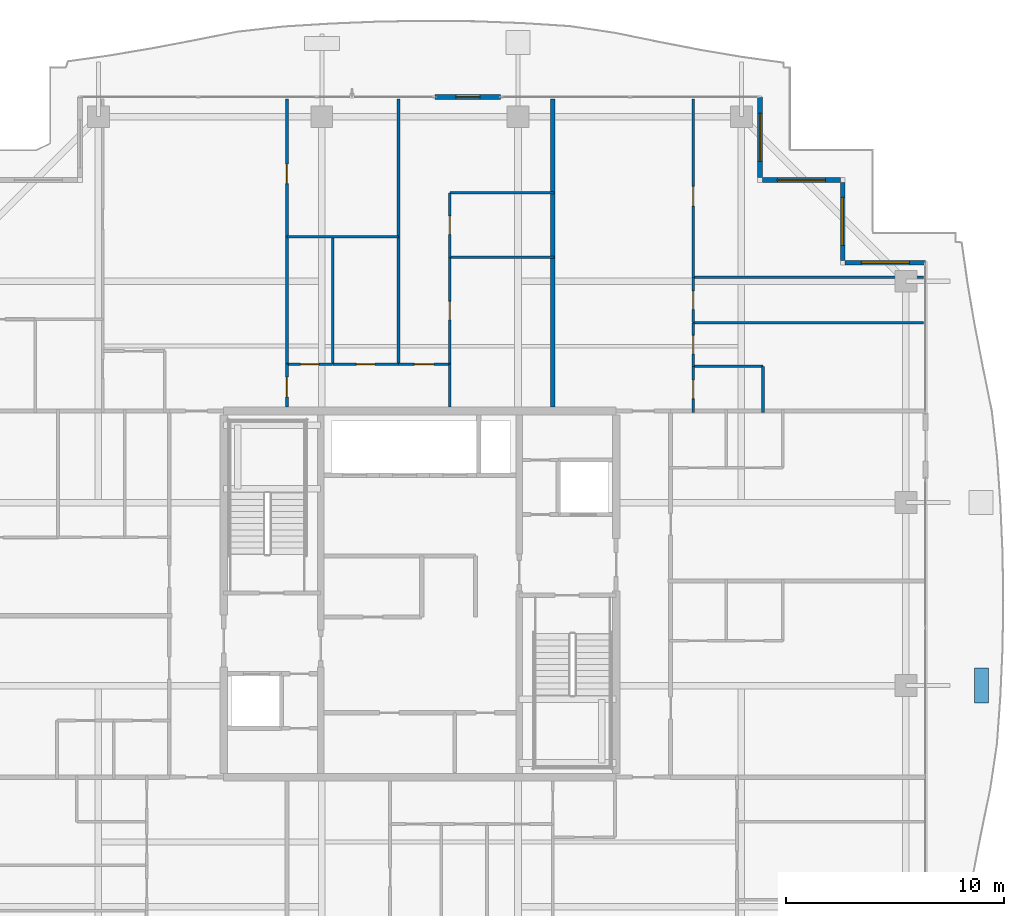
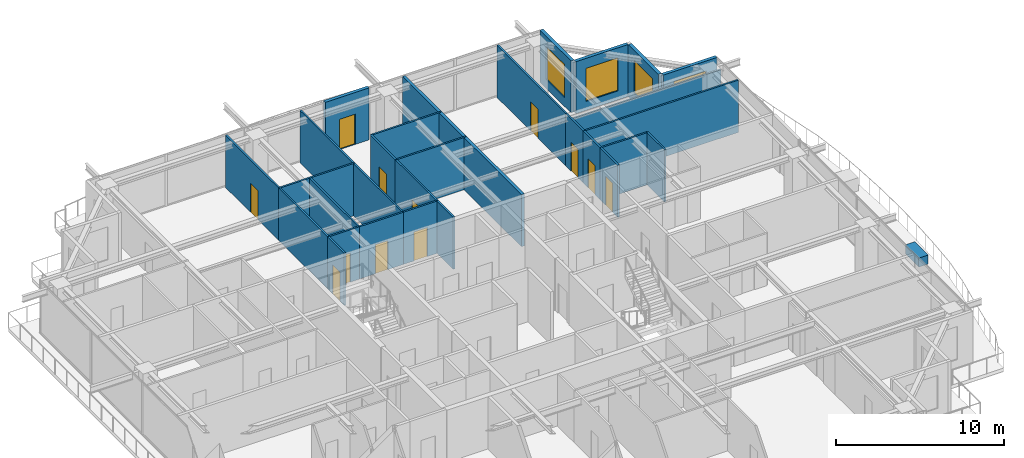
# One storey, part 32 of 40: 28 walls, 12 doors, 4 windows, 1 discrete accessory, 16 openings.
"""IFC4 building model written with IfcOpenShell, lengths in metres."""

from ifc_helpers import new_model, si_unit, direction, frame, frame_2d, origin, origin_2d, place, context, subcontext, project, spatial, rectangle, extrude, source, transform, mapped, material, layer, layer_set, type_object, element, fill, save


model = new_model("IFC4")

# Units and contexts
model_context = context("Model", 3, precision=1e-05, world=origin(), true_north=direction((0.0, 1.0)))
body_context = subcontext(model_context, "Body", "Model", "MODEL_VIEW")
ifc_project = project(units=[si_unit("LENGTHUNIT", "METRE"), si_unit("AREAUNIT", "SQUARE_METRE"), si_unit("VOLUMEUNIT", "CUBIC_METRE"), si_unit("PLANEANGLEUNIT", "RADIAN"), si_unit("MASSUNIT", "GRAM", prefix="KILO")], contexts=[model_context])

# Site, building, storey
site_placement = place(None, origin())
site = spatial("IfcSite", under=ifc_project, at=site_placement, CompositionType="ELEMENT")
building_placement = place(site_placement, origin())
building = spatial("IfcBuilding", under=site, at=building_placement, Name="Serunith Strait Residences", CompositionType="ELEMENT")
storey_placement = place(building_placement, frame((0.0, 0.0, 313.699951171875)))
storey = spatial("IfcBuildingStorey", under=building, at=storey_placement, Name="L78", CompositionType="ELEMENT", Elevation=313.699951171875)

# Wall, opening, window
ifc_material_1 = material(Name="Pale-Champagne Aluminium Insulated Panel", Category="aluminium")
ifc_layer_1 = layer(ifc_material_1, 0.219970703125, Name="Pale-Champagne Aluminium Insulated Panel")
ifc_layer_set_1 = layer_set([ifc_layer_1], Name="Pale-Champagne Aluminium Insulated Panel")
wall_type_1 = type_object("IfcWallType", Name="EW-ALUM-220", PredefinedType="ELEMENTEDWALL", material=ifc_layer_set_1)
wall_1_placement = place(storey_placement, frame((55.60009765625, 40.39990234375, 0.0), z_axis=(0.0, 0.0, 1.0), x_axis=(-1.0, 0.0, 0.0)))
wall_1 = element("IfcWall", 1, at=wall_1_placement, inside=storey, type_object=wall_type_1, Name="L78 Girih Serrated Corner Wall 07", PredefinedType="ELEMENTEDWALL", context=body_context, shape_type="SweptSolid", body=[
    extrude(rectangle(XDim=3.690185546875, YDim=0.219970703125, at=frame_2d((1.84521484375, 0.0))), origin(), (0.0, 0.0, 1.0), 3.775146484375),
])
opening_1_placement = place(wall_1_placement, frame((0.7451171875, 0.0, 0.64990234375)))
opening_1 = element("IfcOpeningElement", 2, at=opening_1_placement, cuts=wall_1, Name="Opening W-06", PredefinedType="OPENING", context=body_context, shape_type="SweptSolid", body=[
    extrude(rectangle(XDim=2.199951171875, YDim=2.39990234375, at=frame_2d((1.10009765625, 1.199951171875))), frame((0.0, 0.1201171875, 0.0), z_axis=(0.0, -1.0, 0.0), x_axis=(1.0, 0.0, 0.0)), (0.0, 0.0, 1.0), 0.239990234375),
])
ifc_material_2 = material(Name="Crown Penthouse Low-E Operable Window Glass", Category="glass")
window_type = type_object("IfcWindowType", Name="WIN-C6", PartitioningType="TRIPLE_PANEL_VERTICAL", PredefinedType="WINDOW", material=ifc_material_2)
shared_shape_1 = source(origin(), body_context, "Body", "SweptSolid", [
    extrude(rectangle(XDim=2.199951171875, YDim=2.39990234375, at=frame_2d((1.10009765625, 1.199951171875))), frame((0.0, 0.030029296875, 0.0), z_axis=(0.0, -1.0, 0.0), x_axis=(1.0, 0.0, 0.0)), (0.0, 0.0, 1.0), 0.06005859375),
])
window_1_placement = place(opening_1_placement, origin())
window_1 = element("IfcWindow", 3, at=window_1_placement, inside=storey, type_object=window_type, Name="L78 Corner Operable Fritted Window 07", OverallHeight=2.39990234375, OverallWidth=2.199951171875, PartitioningType="SINGLE_PANEL", PredefinedType="WINDOW", context=body_context, shape_type="MappedRepresentation", body=[
    mapped(shared_shape_1, transform((0.0, 0.0, 0.0), scale=1.0)),
])
fill(opening_1, window_1)

wall_2_placement = place(storey_placement, frame((51.800048828125, 40.510009765625, 0.0), z_axis=(0.0, 0.0, 1.0), x_axis=(0.0, 1.0, 0.0)))
wall_2 = element("IfcWall", 4, at=wall_2_placement, inside=storey, type_object=wall_type_1, Name="L78 Girih Serrated Corner Wall 08", PredefinedType="ELEMENTEDWALL", context=body_context, shape_type="SweptSolid", body=[
    extrude(rectangle(XDim=3.580078125, YDim=0.219970703125, at=frame_2d((1.7900390625, 0.0))), origin(), (0.0, 0.0, 1.0), 3.775146484375),
])
opening_2_placement = place(wall_2_placement, frame((0.68994140625, 0.0, 0.64990234375)))
opening_2 = element("IfcOpeningElement", 5, at=opening_2_placement, cuts=wall_2, Name="Opening W-06", PredefinedType="OPENING", context=body_context, shape_type="SweptSolid", body=[
    extrude(rectangle(XDim=2.199951171875, YDim=2.39990234375, at=frame_2d((1.10009765625, 1.199951171875))), frame((0.0, 0.1201171875, 0.0), z_axis=(0.0, -1.0, 0.0), x_axis=(1.0, 0.0, 0.0)), (0.0, 0.0, 1.0), 0.239990234375),
])
window_2_placement = place(opening_2_placement, origin())
window_2 = element("IfcWindow", 6, at=window_2_placement, inside=storey, type_object=window_type, Name="L78 Corner Operable Fritted Window 08", OverallHeight=2.39990234375, OverallWidth=2.199951171875, PartitioningType="SINGLE_PANEL", PredefinedType="WINDOW", context=body_context, shape_type="MappedRepresentation", body=[
    mapped(shared_shape_1, transform((0.0, 0.0, 0.0), scale=1.0)),
])
fill(opening_2, window_2)

wall_3_placement = place(storey_placement, frame((51.68994140625, 44.199951171875, 0.0), z_axis=(0.0, 0.0, 1.0), x_axis=(-1.0, 0.0, 0.0)))
wall_3 = element("IfcWall", 7, at=wall_3_placement, inside=storey, type_object=wall_type_1, Name="L78 Girih Serrated Corner Wall 09", PredefinedType="ELEMENTEDWALL", context=body_context, shape_type="SweptSolid", body=[
    extrude(rectangle(XDim=3.579833984375, YDim=0.219970703125, at=frame_2d((1.7900390625, 0.0))), origin(), (0.0, 0.0, 1.0), 3.775146484375),
])
opening_3_placement = place(wall_3_placement, frame((0.68994140625, 0.0, 0.64990234375)))
opening_3 = element("IfcOpeningElement", 8, at=opening_3_placement, cuts=wall_3, Name="Opening W-06", PredefinedType="OPENING", context=body_context, shape_type="SweptSolid", body=[
    extrude(rectangle(XDim=2.199951171875, YDim=2.39990234375, at=frame_2d((1.10009765625, 1.199951171875))), frame((0.0, 0.1201171875, 0.0), z_axis=(0.0, -1.0, 0.0), x_axis=(1.0, 0.0, 0.0)), (0.0, 0.0, 1.0), 0.239990234375),
])
window_3_placement = place(opening_3_placement, origin())
window_3 = element("IfcWindow", 9, at=window_3_placement, inside=storey, type_object=window_type, Name="L78 Corner Operable Fritted Window 09", OverallHeight=2.39990234375, OverallWidth=2.199951171875, PartitioningType="SINGLE_PANEL", PredefinedType="WINDOW", context=body_context, shape_type="MappedRepresentation", body=[
    mapped(shared_shape_1, transform((0.0, 0.0, 0.0), scale=1.0)),
])
fill(opening_3, window_3)

wall_4_placement = place(storey_placement, frame((48.0, 44.31005859375, 0.0), z_axis=(0.0, 0.0, 1.0), x_axis=(0.0, 1.0, 0.0)))
wall_4 = element("IfcWall", 10, at=wall_4_placement, inside=storey, type_object=wall_type_1, Name="L78 Girih Serrated Corner Wall 10", PredefinedType="ELEMENTEDWALL", context=body_context, shape_type="SweptSolid", body=[
    extrude(rectangle(XDim=3.68994140625, YDim=0.219970703125, at=frame_2d((1.844970703125, 0.0))), origin(), (0.0, 0.0, 1.0), 3.775146484375),
])
opening_4_placement = place(wall_4_placement, frame((0.7451171875, 0.0, 0.64990234375)))
opening_4 = element("IfcOpeningElement", 11, at=opening_4_placement, cuts=wall_4, Name="Opening W-06", PredefinedType="OPENING", context=body_context, shape_type="SweptSolid", body=[
    extrude(rectangle(XDim=2.199951171875, YDim=2.39990234375, at=frame_2d((1.10009765625, 1.199951171875))), frame((0.0, 0.1201171875, 0.0), z_axis=(0.0, -1.0, 0.0), x_axis=(1.0, 0.0, 0.0)), (0.0, 0.0, 1.0), 0.239990234375),
])
window_4_placement = place(opening_4_placement, origin())
window_4 = element("IfcWindow", 12, at=window_4_placement, inside=storey, type_object=window_type, Name="L78 Corner Operable Fritted Window 10", OverallHeight=2.39990234375, OverallWidth=2.199951171875, PartitioningType="SINGLE_PANEL", PredefinedType="WINDOW", context=body_context, shape_type="MappedRepresentation", body=[
    mapped(shared_shape_1, transform((0.0, 0.0, 0.0), scale=1.0)),
])
fill(opening_4, window_4)

# Wall, opening, door
wall_5_placement = place(storey_placement, frame((36.10009765625, 48.0, 0.0), z_axis=(0.0, 0.0, 1.0), x_axis=(-1.0, 0.0, 0.0)))
wall_5 = element("IfcWall", 13, at=wall_5_placement, inside=storey, type_object=wall_type_1, Name="L78 N Facade Pier Wall", PredefinedType="ELEMENTEDWALL", context=body_context, shape_type="SweptSolid", body=[
    extrude(rectangle(XDim=3.0, YDim=0.219970703125, at=frame_2d((1.5, 0.0))), origin(), (0.0, 0.0, 1.0), 3.775146484375),
])
opening_5_placement = place(wall_5_placement, frame((0.949951171875, 0.0, 0.0)))
opening_5 = element("IfcOpeningElement", 14, at=opening_5_placement, cuts=wall_5, Name="Opening ED-03", PredefinedType="OPENING", context=body_context, shape_type="SweptSolid", body=[
    extrude(rectangle(XDim=1.10009765625, YDim=2.199951171875, at=frame_2d((0.550048828125, 1.10009765625))), frame((0.0, 0.1201171875, 0.0), z_axis=(0.0, -1.0, 0.0), x_axis=(1.0, 0.0, 0.0)), (0.0, 0.0, 1.0), 0.239990234375),
])
ifc_material_3 = material(Name="Thermally-Broken Aluminium Glazed Balcony Door", Category="aluminium")
door_type_1 = type_object("IfcDoorType", Name="ED-BALC-1100", OperationType="NOTDEFINED", PredefinedType="DOOR", material=ifc_material_3)
shared_shape_2 = source(origin(), body_context, "Body", "SweptSolid", [
    extrude(rectangle(XDim=1.10009765625, YDim=2.199951171875, at=frame_2d((0.550048828125, 1.10009765625))), frame((0.0, 0.02490234375, 0.0), z_axis=(0.0, -1.0, 0.0), x_axis=(1.0, 0.0, 0.0)), (0.0, 0.0, 1.0), 0.050048828125),
])
door_1_placement = place(opening_5_placement, origin())
door_1 = element("IfcDoor", 15, at=door_1_placement, inside=storey, type_object=door_type_1, Name="L78 N Vertical-Forest Balcony Door", OperationType="SINGLE_SWING_RIGHT", OverallHeight=2.199951171875, OverallWidth=1.10009765625, PredefinedType="DOOR", context=body_context, shape_type="MappedRepresentation", body=[
    mapped(shared_shape_2, transform((0.0, 0.0, 0.0), scale=1.0)),
])
fill(opening_5, door_1)

ifc_material_4 = material(Name="Lightweight steel-stud gypsum partition", Category="steel")
ifc_layer_2 = layer(ifc_material_4, 0.1201171875, Name="Lightweight steel-stud gypsum partition")
ifc_layer_set_2 = layer_set([ifc_layer_2], Name="Lightweight steel-stud gypsum partition")
wall_type_2 = type_object("IfcWallType", Name="IW-PART-120", PredefinedType="PARTITIONING", material=ifc_layer_set_2)
wall_6_placement = place(storey_placement, frame((26.300048828125, 35.75, 0.0), z_axis=(0.0, 0.0, 1.0), x_axis=(0.0, -1.0, 0.0)))
wall_6 = element("IfcWall", 16, at=wall_6_placement, inside=storey, type_object=wall_type_2, Name="L78 Partition Wall 070", PredefinedType="PARTITIONING", context=body_context, shape_type="SweptSolid", body=[
    extrude(rectangle(XDim=1.97509765625, YDim=0.1201171875, at=frame_2d((0.987548828125, 0.0))), origin(), (0.0, 0.0, 1.0), 3.7900390625),
])
opening_6_placement = place(wall_6_placement, frame((0.60107421875, 0.0, 0.0)))
opening_6 = element("IfcOpeningElement", 17, at=opening_6_placement, cuts=wall_6, Name="Opening D-RM900", PredefinedType="OPENING", context=body_context, shape_type="SweptSolid", body=[
    extrude(rectangle(XDim=0.89990234375, YDim=2.10009765625, at=frame_2d((0.449951171875, 1.050048828125))), frame((0.0, 0.070068359375, 0.0), z_axis=(0.0, -1.0, 0.0), x_axis=(1.0, 0.0, 0.0)), (0.0, 0.0, 1.0), 0.14013671875),
])
ifc_material_5 = material(Name="Engineered timber flush bedroom door", Category="wood")
door_type_2 = type_object("IfcDoorType", Name="ID-ROOM-900", OperationType="NOTDEFINED", PredefinedType="DOOR", material=ifc_material_5)
shared_shape_3 = source(origin(), body_context, "Body", "SweptSolid", [
    extrude(rectangle(XDim=0.89990234375, YDim=2.10009765625, at=frame_2d((0.449951171875, 1.050048828125))), frame((0.0, 0.02490234375, 0.0), z_axis=(0.0, -1.0, 0.0), x_axis=(1.0, 0.0, 0.0)), (0.0, 0.0, 1.0), 0.050048828125),
])
door_2_placement = place(opening_6_placement, origin())
door_2 = element("IfcDoor", 18, at=door_2_placement, inside=storey, type_object=door_type_2, Name="L78 Hall E 7803 Door", OperationType="SINGLE_SWING_RIGHT", OverallHeight=2.10009765625, OverallWidth=0.89990234375, PredefinedType="DOOR", context=body_context, shape_type="MappedRepresentation", body=[
    mapped(shared_shape_3, transform((0.0, 0.0, 0.0), scale=1.0)),
])
fill(opening_6, door_2)

wall_7_placement = place(storey_placement, frame((26.300048828125, 47.905029296875, 0.0), z_axis=(0.0, 0.0, 1.0), x_axis=(0.0, -1.0, 0.0)))
wall_7 = element("IfcWall", 19, at=wall_7_placement, inside=storey, type_object=wall_type_2, Name="L78 Partition Wall 071", PredefinedType="PARTITIONING", context=body_context, shape_type="SweptSolid", body=[
    extrude(rectangle(XDim=6.30810546875, YDim=0.1201171875, at=frame_2d((3.154052734375, 0.0))), origin(), (0.0, 0.0, 1.0), 3.7900390625),
])
opening_7_placement = place(wall_7_placement, frame((2.97412109375, 0.0, 0.0)))
opening_7 = element("IfcOpeningElement", 20, at=opening_7_placement, cuts=wall_7, Name="Opening D-RM900", PredefinedType="OPENING", context=body_context, shape_type="SweptSolid", body=[
    extrude(rectangle(XDim=0.89990234375, YDim=2.10009765625, at=frame_2d((0.449951171875, 1.050048828125))), frame((0.0, 0.070068359375, 0.0), z_axis=(0.0, -1.0, 0.0), x_axis=(1.0, 0.0, 0.0)), (0.0, 0.0, 1.0), 0.14013671875),
])
door_3_placement = place(opening_7_placement, origin())
door_3 = element("IfcDoor", 21, at=door_3_placement, inside=storey, type_object=door_type_2, Name="L78 Formal Dining Room 2 7803 Door", OperationType="SINGLE_SWING_LEFT", OverallHeight=2.10009765625, OverallWidth=0.89990234375, PredefinedType="DOOR", context=body_context, shape_type="MappedRepresentation", body=[
    mapped(shared_shape_3, transform((0.0, 0.0, 0.0), scale=1.0)),
])
fill(opening_7, door_3)

# Walls
wall_8_placement = place(storey_placement, frame((26.300048828125, 41.594970703125, 0.0), z_axis=(0.0, 0.0, 1.0), x_axis=(0.0, -1.0, 0.0)))
element("IfcWall", 22, at=wall_8_placement, inside=storey, type_object=wall_type_2, Name="L78 Partition Wall 072", PredefinedType="PARTITIONING", context=body_context, shape_type="SweptSolid", body=[
    extrude(rectangle(XDim=5.843017578125, YDim=0.1201171875, at=frame_2d((2.92138671875, 0.0))), origin(), (0.0, 0.0, 1.0), 3.7900390625),
])
wall_9_placement = place(storey_placement, frame((26.300048828125, 41.596923828125, 0.0), z_axis=(0.0, 0.0, 1.0), x_axis=(1.0, 0.0, 0.0)))
element("IfcWall", 23, at=wall_9_placement, inside=storey, type_object=wall_type_2, Name="L78 Partition Wall 073", PredefinedType="PARTITIONING", context=body_context, shape_type="SweptSolid", body=[
    extrude(rectangle(XDim=5.119873046875, YDim=0.1201171875, at=frame_2d((2.56005859375, 0.0))), origin(), (0.0, 0.0, 1.0), 3.7900390625),
])
wall_10_placement = place(storey_placement, frame((31.419921875, 47.905029296875, 0.0), z_axis=(0.0, 0.0, 1.0), x_axis=(0.0, -1.0, 0.0)))
element("IfcWall", 24, at=wall_10_placement, inside=storey, type_object=wall_type_2, Name="L78 Partition Wall 074", PredefinedType="PARTITIONING", context=body_context, shape_type="SweptSolid", body=[
    extrude(rectangle(XDim=12.155029296875, YDim=0.1201171875, at=frame_2d((6.07763671875, 0.0))), origin(), (0.0, 0.0, 1.0), 3.7900390625),
])
wall_11_placement = place(storey_placement, frame((28.39990234375, 41.596923828125, 0.0), z_axis=(0.0, 0.0, 1.0), x_axis=(0.0, -1.0, 0.0)))
element("IfcWall", 25, at=wall_11_placement, inside=storey, type_object=wall_type_2, Name="L78 Partition Wall 075", PredefinedType="PARTITIONING", context=body_context, shape_type="SweptSolid", body=[
    extrude(rectangle(XDim=5.846923828125, YDim=0.1201171875, at=frame_2d((2.92333984375, 0.0))), origin(), (0.0, 0.0, 1.0), 3.7900390625),
])

# Wall, opening, door
wall_12_placement = place(storey_placement, frame((26.300048828125, 35.75, 0.0), z_axis=(0.0, 0.0, 1.0), x_axis=(1.0, 0.0, 0.0)))
wall_12 = element("IfcWall", 26, at=wall_12_placement, inside=storey, type_object=wall_type_2, Name="L78 Partition Wall 076", PredefinedType="PARTITIONING", context=body_context, shape_type="SweptSolid", body=[
    extrude(rectangle(XDim=2.099853515625, YDim=0.1201171875, at=frame_2d((1.0498046875, 0.0))), origin(), (0.0, 0.0, 1.0), 3.7900390625),
])
opening_8_placement = place(wall_12_placement, frame((0.625, 0.0, 0.0)))
opening_8 = element("IfcOpeningElement", 27, at=opening_8_placement, cuts=wall_12, Name="Opening D-RM850", PredefinedType="OPENING", context=body_context, shape_type="SweptSolid", body=[
    extrude(rectangle(XDim=0.85009765625, YDim=2.10009765625, at=frame_2d((0.425048828125, 1.050048828125))), frame((0.0, 0.070068359375, 0.0), z_axis=(0.0, -1.0, 0.0), x_axis=(1.0, 0.0, 0.0)), (0.0, 0.0, 1.0), 0.14013671875),
])
ifc_material_6 = material(Name="Engineered timber flush study and kitchen door", Category="wood")
door_type_3 = type_object("IfcDoorType", Name="ID-ROOM-850", OperationType="NOTDEFINED", PredefinedType="DOOR", material=ifc_material_6)
shared_shape_4 = source(origin(), body_context, "Body", "SweptSolid", [
    extrude(rectangle(XDim=0.85009765625, YDim=2.10009765625, at=frame_2d((0.425048828125, 1.050048828125))), frame((0.0, 0.02490234375, 0.0), z_axis=(0.0, -1.0, 0.0), x_axis=(1.0, 0.0, 0.0)), (0.0, 0.0, 1.0), 0.050048828125),
])
door_4_placement = place(opening_8_placement, origin())
door_4 = element("IfcDoor", 28, at=door_4_placement, inside=storey, type_object=door_type_3, Name="L78 Study 7803 Door", OperationType="SINGLE_SWING_RIGHT", OverallHeight=2.10009765625, OverallWidth=0.85009765625, PredefinedType="DOOR", context=body_context, shape_type="MappedRepresentation", body=[
    mapped(shared_shape_4, transform((0.0, 0.0, 0.0), scale=1.0)),
])
fill(opening_8, door_4)

wall_13_placement = place(storey_placement, frame((28.402099609375, 35.75, 0.0), z_axis=(0.0, 0.0, 1.0), x_axis=(1.0, 0.0, 0.0)))
wall_13 = element("IfcWall", 29, at=wall_13_placement, inside=storey, type_object=wall_type_2, Name="L78 Partition Wall 077", PredefinedType="PARTITIONING", context=body_context, shape_type="SweptSolid", body=[
    extrude(rectangle(XDim=3.017822265625, YDim=0.1201171875, at=frame_2d((1.5087890625, 0.0))), origin(), (0.0, 0.0, 1.0), 3.7900390625),
])
opening_9_placement = place(wall_13_placement, frame((1.083984375, 0.0, 0.0)))
opening_9 = element("IfcOpeningElement", 30, at=opening_9_placement, cuts=wall_13, Name="Opening D-RM850", PredefinedType="OPENING", context=body_context, shape_type="SweptSolid", body=[
    extrude(rectangle(XDim=0.85009765625, YDim=2.10009765625, at=frame_2d((0.425048828125, 1.050048828125))), frame((0.0, 0.070068359375, 0.0), z_axis=(0.0, -1.0, 0.0), x_axis=(1.0, 0.0, 0.0)), (0.0, 0.0, 1.0), 0.14013671875),
])
door_5_placement = place(opening_9_placement, origin())
door_5 = element("IfcDoor", 31, at=door_5_placement, inside=storey, type_object=door_type_3, Name="L78 Formal Dining Room 7803 Door", OperationType="SINGLE_SWING_LEFT", OverallHeight=2.10009765625, OverallWidth=0.85009765625, PredefinedType="DOOR", context=body_context, shape_type="MappedRepresentation", body=[
    mapped(shared_shape_4, transform((0.0, 0.0, 0.0), scale=1.0)),
])
fill(opening_9, door_5)

wall_14_placement = place(storey_placement, frame((31.422119140625, 35.75, 0.0), z_axis=(0.0, 0.0, 1.0), x_axis=(1.0, 0.0, 0.0)))
wall_14 = element("IfcWall", 32, at=wall_14_placement, inside=storey, type_object=wall_type_2, Name="L78 Partition Wall 078", PredefinedType="PARTITIONING", context=body_context, shape_type="SweptSolid", body=[
    extrude(rectangle(XDim=2.347900390625, YDim=0.1201171875, at=frame_2d((1.173828125, 0.0))), origin(), (0.0, 0.0, 1.0), 3.7900390625),
])
opening_10_placement = place(wall_14_placement, frame((0.72412109375, 0.0, 0.0)))
opening_10 = element("IfcOpeningElement", 33, at=opening_10_placement, cuts=wall_14, Name="Opening D-RM900", PredefinedType="OPENING", context=body_context, shape_type="SweptSolid", body=[
    extrude(rectangle(XDim=0.89990234375, YDim=2.10009765625, at=frame_2d((0.449951171875, 1.050048828125))), frame((0.0, 0.070068359375, 0.0), z_axis=(0.0, -1.0, 0.0), x_axis=(1.0, 0.0, 0.0)), (0.0, 0.0, 1.0), 0.14013671875),
])
door_6_placement = place(opening_10_placement, origin())
door_6 = element("IfcDoor", 34, at=door_6_placement, inside=storey, type_object=door_type_2, Name="L78 Master Bedroom E 7803 Door", OperationType="SINGLE_SWING_RIGHT", OverallHeight=2.10009765625, OverallWidth=0.89990234375, PredefinedType="DOOR", context=body_context, shape_type="MappedRepresentation", body=[
    mapped(shared_shape_3, transform((0.0, 0.0, 0.0), scale=1.0)),
])
fill(opening_10, door_6)

# Walls
for number, where, z_axis, x_axis, name in (
    (35, (33.77001953125, 43.612060546875, 0.0), (0.0, 0.0, 1.0), (1.0, 0.0, 0.0), "L78 Partition Wall 079"),
    (36, (33.77001953125, 40.652099609375, 0.0), (0.0, 0.0, 1.0), (1.0, 0.0, 0.0), "L78 Partition Wall 080"),
):
    element("IfcWall", number, at=place(storey_placement, frame(where, z_axis=z_axis, x_axis=x_axis)), inside=storey, type_object=wall_type_2, Name=name, PredefinedType="PARTITIONING", context=body_context, shape_type="SweptSolid", body=[
        extrude(rectangle(XDim=4.7900390625, YDim=0.1201171875, at=frame_2d((2.39501953125, 0.0))), origin(), (0.0, 0.0, 1.0), 3.7900390625),
    ])

# Wall, opening, door
wall_15_placement = place(storey_placement, frame((33.77001953125, 43.612060546875, 0.0), z_axis=(0.0, 0.0, 1.0), x_axis=(0.0, -1.0, 0.0)))
wall_15 = element("IfcWall", 37, at=wall_15_placement, inside=storey, type_object=wall_type_2, Name="L78 Partition Wall 081", PredefinedType="PARTITIONING", context=body_context, shape_type="SweptSolid", body=[
    extrude(rectangle(XDim=2.9599609375, YDim=0.1201171875, at=frame_2d((1.47998046875, 0.0))), origin(), (0.0, 0.0, 1.0), 3.7900390625),
])
opening_11_placement = place(wall_15_placement, frame((1.054931640625, 0.0, 0.0)))
opening_11 = element("IfcOpeningElement", 38, at=opening_11_placement, cuts=wall_15, Name="Opening D-BTH850", PredefinedType="OPENING", context=body_context, shape_type="SweptSolid", body=[
    extrude(rectangle(XDim=0.85009765625, YDim=2.10009765625, at=frame_2d((0.425048828125, 1.050048828125))), frame((0.0, 0.070068359375, 0.0), z_axis=(0.0, -1.0, 0.0), x_axis=(1.0, 0.0, 0.0)), (0.0, 0.0, 1.0), 0.14013671875),
])
ifc_material_7 = material(Name="Moisture-resistant timber bathroom door", Category="wood")
door_type_4 = type_object("IfcDoorType", Name="ID-BATH-850", OperationType="NOTDEFINED", PredefinedType="DOOR", material=ifc_material_7)
door_7_placement = place(opening_11_placement, origin())
door_7 = element("IfcDoor", 39, at=door_7_placement, inside=storey, type_object=door_type_4, Name="L78 En-suite Bathroom E 7803 Door", OperationType="SINGLE_SWING_LEFT", OverallHeight=2.10009765625, OverallWidth=0.85009765625, PredefinedType="DOOR", context=body_context, shape_type="MappedRepresentation", body=[
    mapped(shared_shape_4, transform((0.0, 0.0, 0.0), scale=1.0)),
])
fill(opening_11, door_7)

wall_16_placement = place(storey_placement, frame((33.77001953125, 40.64990234375, 0.0), z_axis=(0.0, 0.0, 1.0), x_axis=(0.0, -1.0, 0.0)))
wall_16 = element("IfcWall", 40, at=wall_16_placement, inside=storey, type_object=wall_type_2, Name="L78 Partition Wall 082", PredefinedType="PARTITIONING", context=body_context, shape_type="SweptSolid", body=[
    extrude(rectangle(XDim=4.89990234375, YDim=0.1201171875, at=frame_2d((2.449951171875, 0.0))), origin(), (0.0, 0.0, 1.0), 3.7900390625),
])
opening_12_placement = place(wall_16_placement, frame((2.02490234375, 0.0, 0.0)))
opening_12 = element("IfcOpeningElement", 41, at=opening_12_placement, cuts=wall_16, Name="Opening D-RM850", PredefinedType="OPENING", context=body_context, shape_type="SweptSolid", body=[
    extrude(rectangle(XDim=0.85009765625, YDim=2.10009765625, at=frame_2d((0.425048828125, 1.050048828125))), frame((0.0, 0.070068359375, 0.0), z_axis=(0.0, -1.0, 0.0), x_axis=(1.0, 0.0, 0.0)), (0.0, 0.0, 1.0), 0.14013671875),
])
door_8_placement = place(opening_12_placement, origin())
door_8 = element("IfcDoor", 42, at=door_8_placement, inside=storey, type_object=door_type_3, Name="L78 Wardrobe E 7803 Door", OperationType="SINGLE_SWING_RIGHT", OverallHeight=2.10009765625, OverallWidth=0.85009765625, PredefinedType="DOOR", context=body_context, shape_type="MappedRepresentation", body=[
    mapped(shared_shape_4, transform((0.0, 0.0, 0.0), scale=1.0)),
])
fill(opening_12, door_8)

# Wall
wall_17_placement = place(storey_placement, frame((33.77001953125, 35.748046875, 0.0), z_axis=(0.0, 0.0, 1.0), x_axis=(0.0, -1.0, 0.0)))
element("IfcWall", 43, at=wall_17_placement, inside=storey, type_object=wall_type_2, Name="L78 Partition Wall 083", PredefinedType="PARTITIONING", context=body_context, shape_type="SweptSolid", body=[
    extrude(rectangle(XDim=1.97314453125, YDim=0.1201171875, at=frame_2d((0.986572265625, 0.0))), origin(), (0.0, 0.0, 1.0), 3.7900390625),
])

# Wall, opening, door
wall_18_placement = place(storey_placement, frame((44.93994140625, 47.905029296875, 0.0), z_axis=(0.0, 0.0, 1.0), x_axis=(0.0, -1.0, 0.0)))
wall_18 = element("IfcWall", 44, at=wall_18_placement, inside=storey, type_object=wall_type_2, Name="L78 Partition Wall 084", PredefinedType="PARTITIONING", context=body_context, shape_type="SweptSolid", body=[
    extrude(rectangle(XDim=8.177001953125, YDim=0.1201171875, at=frame_2d((4.08837890625, 0.0))), origin(), (0.0, 0.0, 1.0), 3.7900390625),
])
opening_13_placement = place(wall_18_placement, frame((4.001953125, 0.0, 0.0)))
opening_13 = element("IfcOpeningElement", 45, at=opening_13_placement, cuts=wall_18, Name="Opening D-RM900", PredefinedType="OPENING", context=body_context, shape_type="SweptSolid", body=[
    extrude(rectangle(XDim=0.89990234375, YDim=2.10009765625, at=frame_2d((0.449951171875, 1.050048828125))), frame((0.0, 0.070068359375, 0.0), z_axis=(0.0, -1.0, 0.0), x_axis=(1.0, 0.0, 0.0)), (0.0, 0.0, 1.0), 0.14013671875),
])
door_9_placement = place(opening_13_placement, origin())
door_9 = element("IfcDoor", 46, at=door_9_placement, inside=storey, type_object=door_type_2, Name="L78 Master Bedroom 1 7804 Door", OperationType="SINGLE_SWING_LEFT", OverallHeight=2.10009765625, OverallWidth=0.89990234375, PredefinedType="DOOR", context=body_context, shape_type="MappedRepresentation", body=[
    mapped(shared_shape_3, transform((0.0, 0.0, 0.0), scale=1.0)),
])
fill(opening_13, door_9)

# Walls
wall_19_placement = place(storey_placement, frame((44.93994140625, 39.72802734375, 0.0), z_axis=(0.0, 0.0, 1.0), x_axis=(1.0, 0.0, 0.0)))
element("IfcWall", 47, at=wall_19_placement, inside=storey, type_object=wall_type_2, Name="L78 Partition Wall 085", PredefinedType="PARTITIONING", context=body_context, shape_type="SweptSolid", body=[
    extrude(rectangle(XDim=10.56494140625, YDim=0.1201171875, at=frame_2d((5.282470703125, 0.0))), origin(), (0.0, 0.0, 1.0), 3.2919921875),
])
wall_20_placement = place(storey_placement, frame((44.93994140625, 37.64990234375, 0.0), z_axis=(0.0, 0.0, 1.0), x_axis=(1.0, 0.0, 0.0)))
element("IfcWall", 48, at=wall_20_placement, inside=storey, type_object=wall_type_2, Name="L78 Partition Wall 086", PredefinedType="PARTITIONING", context=body_context, shape_type="SweptSolid", body=[
    extrude(rectangle(XDim=10.56494140625, YDim=0.1201171875, at=frame_2d((5.282470703125, 0.0))), origin(), (0.0, 0.0, 1.0), 3.7900390625),
])
wall_21_placement = place(storey_placement, frame((44.93994140625, 35.64990234375, 0.0), z_axis=(0.0, 0.0, 1.0), x_axis=(1.0, 0.0, 0.0)))
element("IfcWall", 49, at=wall_21_placement, inside=storey, type_object=wall_type_2, Name="L78 Partition Wall 087", PredefinedType="PARTITIONING", context=body_context, shape_type="SweptSolid", body=[
    extrude(rectangle(XDim=3.199951171875, YDim=0.1201171875, at=frame_2d((1.60009765625, 0.0))), origin(), (0.0, 0.0, 1.0), 3.7900390625),
])
wall_22_placement = place(storey_placement, frame((48.139892578125, 35.64990234375, 0.0), z_axis=(0.0, 0.0, 1.0), x_axis=(0.0, -1.0, 0.0)))
element("IfcWall", 50, at=wall_22_placement, inside=storey, type_object=wall_type_2, Name="L78 Partition Wall 088", PredefinedType="PARTITIONING", context=body_context, shape_type="SweptSolid", body=[
    extrude(rectangle(XDim=2.10986328125, YDim=0.1201171875, at=frame_2d((1.054931640625, 0.0))), origin(), (0.0, 0.0, 1.0), 3.7900390625),
])

# Wall, opening, door
wall_23_placement = place(storey_placement, frame((44.93994140625, 39.72607421875, 0.0), z_axis=(0.0, 0.0, 1.0), x_axis=(0.0, -1.0, 0.0)))
wall_23 = element("IfcWall", 51, at=wall_23_placement, inside=storey, type_object=wall_type_2, Name="L78 Partition Wall 089", PredefinedType="PARTITIONING", context=body_context, shape_type="SweptSolid", body=[
    extrude(rectangle(XDim=2.076171875, YDim=0.1201171875, at=frame_2d((1.0380859375, 0.0))), origin(), (0.0, 0.0, 1.0), 3.7900390625),
])
opening_14_placement = place(wall_23_placement, frame((0.613037109375, 0.0, 0.0)))
opening_14 = element("IfcOpeningElement", 52, at=opening_14_placement, cuts=wall_23, Name="Opening D-RM850", PredefinedType="OPENING", context=body_context, shape_type="SweptSolid", body=[
    extrude(rectangle(XDim=0.85009765625, YDim=2.10009765625, at=frame_2d((0.425048828125, 1.050048828125))), frame((0.0, 0.070068359375, 0.0), z_axis=(0.0, -1.0, 0.0), x_axis=(1.0, 0.0, 0.0)), (0.0, 0.0, 1.0), 0.14013671875),
])
door_10_placement = place(opening_14_placement, origin())
door_10 = element("IfcDoor", 53, at=door_10_placement, inside=storey, type_object=door_type_3, Name="L78 Dining 7804 Door", OperationType="SINGLE_SWING_RIGHT", OverallHeight=2.10009765625, OverallWidth=0.85009765625, PredefinedType="DOOR", context=body_context, shape_type="MappedRepresentation", body=[
    mapped(shared_shape_4, transform((0.0, 0.0, 0.0), scale=1.0)),
])
fill(opening_14, door_10)

wall_24_placement = place(storey_placement, frame((44.93994140625, 37.64794921875, 0.0), z_axis=(0.0, 0.0, 1.0), x_axis=(0.0, -1.0, 0.0)))
wall_24 = element("IfcWall", 54, at=wall_24_placement, inside=storey, type_object=wall_type_2, Name="L78 Partition Wall 090", PredefinedType="PARTITIONING", context=body_context, shape_type="SweptSolid", body=[
    extrude(rectangle(XDim=1.998046875, YDim=0.1201171875, at=frame_2d((0.9990234375, 0.0))), origin(), (0.0, 0.0, 1.0), 3.7900390625),
])
opening_15_placement = place(wall_24_placement, frame((0.573974609375, 0.0, 0.0)))
opening_15 = element("IfcOpeningElement", 55, at=opening_15_placement, cuts=wall_24, Name="Opening D-RM850", PredefinedType="OPENING", context=body_context, shape_type="SweptSolid", body=[
    extrude(rectangle(XDim=0.85009765625, YDim=2.10009765625, at=frame_2d((0.425048828125, 1.050048828125))), frame((0.0, 0.070068359375, 0.0), z_axis=(0.0, -1.0, 0.0), x_axis=(1.0, 0.0, 0.0)), (0.0, 0.0, 1.0), 0.14013671875),
])
door_11_placement = place(opening_15_placement, origin())
door_11 = element("IfcDoor", 56, at=door_11_placement, inside=storey, type_object=door_type_3, Name="L78 Kitchen 7804 Door", OperationType="SINGLE_SWING_LEFT", OverallHeight=2.10009765625, OverallWidth=0.85009765625, PredefinedType="DOOR", context=body_context, shape_type="MappedRepresentation", body=[
    mapped(shared_shape_4, transform((0.0, 0.0, 0.0), scale=1.0)),
])
fill(opening_15, door_11)

wall_25_placement = place(storey_placement, frame((44.93994140625, 35.64794921875, 0.0), z_axis=(0.0, 0.0, 1.0), x_axis=(0.0, -1.0, 0.0)))
wall_25 = element("IfcWall", 57, at=wall_25_placement, inside=storey, type_object=wall_type_2, Name="L78 Partition Wall 091", PredefinedType="PARTITIONING", context=body_context, shape_type="SweptSolid", body=[
    extrude(rectangle(XDim=2.10791015625, YDim=0.1201171875, at=frame_2d((1.053955078125, 0.0))), origin(), (0.0, 0.0, 1.0), 3.7900390625),
])
opening_16_placement = place(wall_25_placement, frame((0.62890625, 0.0, 0.0)))
opening_16 = element("IfcOpeningElement", 58, at=opening_16_placement, cuts=wall_25, Name="Opening D-BTH850", PredefinedType="OPENING", context=body_context, shape_type="SweptSolid", body=[
    extrude(rectangle(XDim=0.85009765625, YDim=2.10009765625, at=frame_2d((0.425048828125, 1.050048828125))), frame((0.0, 0.070068359375, 0.0), z_axis=(0.0, -1.0, 0.0), x_axis=(1.0, 0.0, 0.0)), (0.0, 0.0, 1.0), 0.14013671875),
])
door_12_placement = place(opening_16_placement, origin())
door_12 = element("IfcDoor", 59, at=door_12_placement, inside=storey, type_object=door_type_4, Name="L78 Bathroom 7804 Door", OperationType="SINGLE_SWING_RIGHT", OverallHeight=2.10009765625, OverallWidth=0.85009765625, PredefinedType="DOOR", context=body_context, shape_type="MappedRepresentation", body=[
    mapped(shared_shape_4, transform((0.0, 0.0, 0.0), scale=1.0)),
])
fill(opening_16, door_12)

# Wall
ifc_material_8 = material(Name="Twin-stud acoustic gypsum board partition")
ifc_layer_3 = layer(ifc_material_8, 0.199951171875, Name="Twin-stud acoustic gypsum board partition")
ifc_layer_set_3 = layer_set([ifc_layer_3], Name="Twin-stud acoustic gypsum board partition")
wall_type_3 = type_object("IfcWallType", Name="IW-PARTY-200", PredefinedType="PARTITIONING", material=ifc_layer_set_3)
wall_26_placement = place(storey_placement, frame((38.5, 33.77490234375, 0.0), z_axis=(0.0, 0.0, 1.0), x_axis=(0.0, 1.0, 0.0)))
element("IfcWall", 60, at=wall_26_placement, inside=storey, type_object=wall_type_3, Name="L78 Partition Wall 021", PredefinedType="PARTITIONING", context=body_context, shape_type="SweptSolid", body=[
    extrude(rectangle(XDim=14.14306640625, YDim=0.199951171875, at=frame_2d((7.071533203125, 0.0))), origin(), (0.0, 0.0, 1.0), 3.7900390625),
])

# Discrete accessory
ifc_material_9 = material(Name="GFRC Irrigated Shrub Trough Planter")
discrete_accessory_type = type_object("IfcDiscreteAccessoryType", Name="ACC-PLANTER-SHRUB", PredefinedType="USERDEFINED", material=ifc_material_9)
shared_shape_5 = source(origin(), body_context, "Body", "SweptSolid", [
    extrude(rectangle(XDim=1.60009765625, YDim=0.64990234375, at=origin_2d()), origin(), (0.0, 0.0, 1.0), 0.64990234375),
])
discrete_accessory_placement = place(storey_placement, frame((58.162109375, 21.0, -0.0498046875), z_axis=(0.0, 0.0, 1.0), x_axis=(0.0, 1.0, 0.0)))
element("IfcDiscreteAccessory", 61, at=discrete_accessory_placement, inside=storey, type_object=discrete_accessory_type, Name="L78 Vertical-Forest Shrub Planter 10", ObjectType="PLANTER", PredefinedType="USERDEFINED", context=body_context, shape_type="MappedRepresentation", body=[
    mapped(shared_shape_5, transform((0.0, 0.0, 0.0), scale=1.0)),
])

save(model, "model.ifc")
